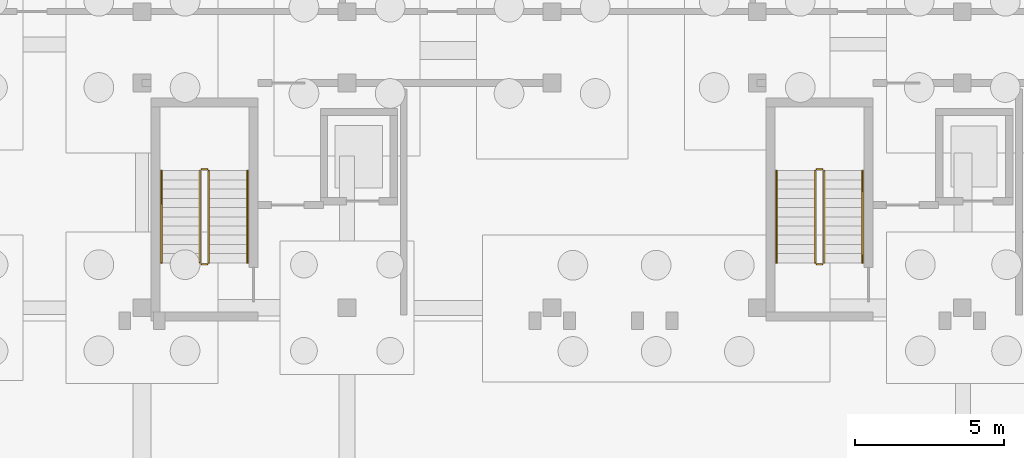
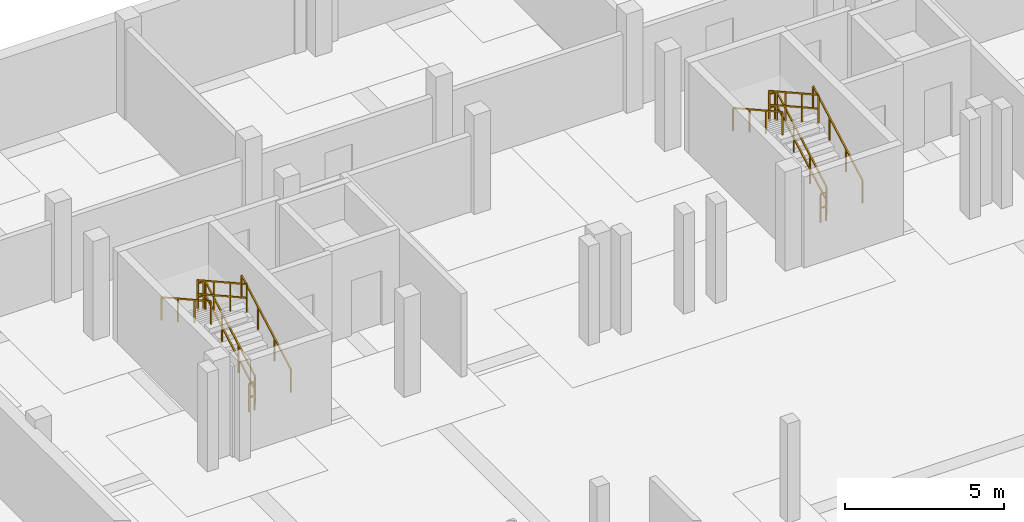
# One storey, part 34 of 38: 12 railings.
"""IFC4 building model written with IfcOpenShell, lengths in metres."""

from ifc_helpers import new_model, si_unit, direction, frame, origin, origin_2d, place, context, subcontext, project, spatial, rectangle, extrude, material, type_object, element, save


model = new_model("IFC4")

# Units and contexts
model_context = context("Model", 3, precision=1e-05, world=origin(), true_north=direction((0.0, 1.0)))
body_context = subcontext(model_context, "Body", "Model", "MODEL_VIEW")
ifc_project = project(units=[si_unit("LENGTHUNIT", "METRE"), si_unit("AREAUNIT", "SQUARE_METRE"), si_unit("VOLUMEUNIT", "CUBIC_METRE"), si_unit("PLANEANGLEUNIT", "RADIAN"), si_unit("MASSUNIT", "GRAM", prefix="KILO")], contexts=[model_context])

# Site, building, storey
site_placement = place(None, origin())
site = spatial("IfcSite", under=ifc_project, at=site_placement, CompositionType="ELEMENT")
building_placement = place(site_placement, origin())
building = spatial("IfcBuilding", under=site, at=building_placement, Name="Zavelmont Quarter", CompositionType="ELEMENT")
storey_placement = place(building_placement, frame((0.0, 0.0, -3.800048828125)))
storey = spatial("IfcBuildingStorey", under=building, at=storey_placement, Name="B01", CompositionType="ELEMENT", Elevation=-3.800048828125)

# Railings
ifc_material_1 = material(Name="Powder-coated steel stair guardrail", Category="steel")
railing_type_1 = type_object("IfcRailingType", Name="RL-GRD1", PredefinedType="GUARDRAIL", material=ifc_material_1)
railing_1_placement = place(storey_placement, frame((9.14990234375, 99.550048828125, 0.1728515625)))
element("IfcRailing", 1, at=railing_1_placement, inside=storey, type_object=railing_type_1, Name="B01 ST03 stair guardrail 1", PredefinedType="GUARDRAIL", context=body_context, shape_type="SweptSolid", body=[
    extrude(rectangle(XDim=0.048095703125, YDim=0.048095703125, at=origin_2d()), frame((0.0, 0.0, 1.076171875), z_axis=(0.0, 0.873539977393, 0.486752409235), x_axis=(-1.0, 0.0, 0.0)), (0.0, 0.0, 1.0), 3.548583984375),
    extrude(rectangle(XDim=0.048095703125, YDim=0.048095703125, at=origin_2d()), frame((0.0, 0.0, 0.550048828125), z_axis=(0.0, 0.873539977393, 0.486752409235), x_axis=(-1.0, 0.0, 0.0)), (0.0, 0.0, 1.0), 3.548583984375),
    extrude(rectangle(XDim=0.0419921875, YDim=0.0419921875, at=origin_2d()), origin(), (0.0, 0.0, 1.0), 1.052001953125),
    extrude(rectangle(XDim=0.0419921875, YDim=0.0419921875, at=origin_2d()), frame((0.0, 1.033203125, 0.57568359375)), (0.0, 0.0, 1.0), 1.052001953125),
    extrude(rectangle(XDim=0.0419921875, YDim=0.0419921875, at=origin_2d()), frame((0.0, 2.066650390625, 1.151611328125)), (0.0, 0.0, 1.0), 1.052001953125),
    extrude(rectangle(XDim=0.0419921875, YDim=0.0419921875, at=origin_2d()), frame((0.0, 3.099853515625, 1.727294921875)), (0.0, 0.0, 1.0), 1.052001953125),
])
railing_2_placement = place(storey_placement, frame((9.10009765625, 102.699951171875, 1.900146484375)))
element("IfcRailing", 2, at=railing_2_placement, inside=storey, type_object=railing_type_1, Name="B01 ST03 stair guardrail 2", PredefinedType="GUARDRAIL", context=body_context, shape_type="SweptSolid", body=[
    extrude(rectangle(XDim=0.048095703125, YDim=0.048095703125, at=origin_2d()), frame((0.0, 0.0, 1.076171875), z_axis=(-1.0, 0.0, 0.0), x_axis=(0.0, -1.0, 0.0)), (0.0, 0.0, 1.0), 0.2001953125),
    extrude(rectangle(XDim=0.048095703125, YDim=0.048095703125, at=origin_2d()), frame((0.0, 0.0, 0.550048828125), z_axis=(-1.0, 0.0, 0.0), x_axis=(0.0, -1.0, 0.0)), (0.0, 0.0, 1.0), 0.2001953125),
    extrude(rectangle(XDim=0.0419921875, YDim=0.0419921875, at=origin_2d()), origin(), (0.0, 0.0, 1.0), 1.052001953125),
    extrude(rectangle(XDim=0.0419921875, YDim=0.0419921875, at=origin_2d()), frame((-0.2001953125, 0.0, 0.0)), (0.0, 0.0, 1.0), 1.052001953125),
])
railing_3_placement = place(storey_placement, frame((8.85009765625, 102.64990234375, 2.07275390625)))
element("IfcRailing", 3, at=railing_3_placement, inside=storey, type_object=railing_type_1, Name="B01 ST03 stair guardrail 3", PredefinedType="GUARDRAIL", context=body_context, shape_type="SweptSolid", body=[
    extrude(rectangle(XDim=0.048095703125, YDim=0.048095703125, at=origin_2d()), frame((0.0, 0.0, 1.076171875), z_axis=(0.0, -0.873539977393, 0.486752409235), x_axis=(1.0, 0.0, 0.0)), (0.0, 0.0, 1.0), 3.548583984375),
    extrude(rectangle(XDim=0.048095703125, YDim=0.048095703125, at=origin_2d()), frame((0.0, 0.0, 0.550048828125), z_axis=(0.0, -0.873539977393, 0.486752409235), x_axis=(1.0, 0.0, 0.0)), (0.0, 0.0, 1.0), 3.548583984375),
    extrude(rectangle(XDim=0.0419921875, YDim=0.0419921875, at=origin_2d()), origin(), (0.0, 0.0, 1.0), 1.052001953125),
    extrude(rectangle(XDim=0.0419921875, YDim=0.0419921875, at=origin_2d()), frame((0.0, -1.033203125, 0.57568359375)), (0.0, 0.0, 1.0), 1.052001953125),
    extrude(rectangle(XDim=0.0419921875, YDim=0.0419921875, at=origin_2d()), frame((0.0, -2.066650390625, 1.151611328125)), (0.0, 0.0, 1.0), 1.052001953125),
    extrude(rectangle(XDim=0.0419921875, YDim=0.0419921875, at=origin_2d()), frame((0.0, -3.099853515625, 1.727294921875)), (0.0, 0.0, 1.0), 1.052001953125),
])
railing_4_placement = place(storey_placement, frame((9.10009765625, 99.5, 0.0)))
element("IfcRailing", 4, at=railing_4_placement, inside=storey, type_object=railing_type_1, Name="B01 ST03 stair guardrail 4", PredefinedType="GUARDRAIL", context=body_context, shape_type="SweptSolid", body=[
    extrude(rectangle(XDim=0.048095703125, YDim=0.048095703125, at=origin_2d()), frame((0.0, 0.0, 1.076171875), z_axis=(-1.0, 0.0, 0.0), x_axis=(0.0, -1.0, 0.0)), (0.0, 0.0, 1.0), 0.2001953125),
    extrude(rectangle(XDim=0.048095703125, YDim=0.048095703125, at=origin_2d()), frame((0.0, 0.0, 0.550048828125), z_axis=(-1.0, 0.0, 0.0), x_axis=(0.0, -1.0, 0.0)), (0.0, 0.0, 1.0), 0.2001953125),
    extrude(rectangle(XDim=0.0419921875, YDim=0.0419921875, at=origin_2d()), origin(), (0.0, 0.0, 1.0), 1.052001953125),
    extrude(rectangle(XDim=0.0419921875, YDim=0.0419921875, at=origin_2d()), frame((-0.2001953125, 0.0, 0.0)), (0.0, 0.0, 1.0), 1.052001953125),
])
railing_5_placement = place(storey_placement, frame((29.85009765625, 99.550048828125, 0.1728515625)))
element("IfcRailing", 5, at=railing_5_placement, inside=storey, type_object=railing_type_1, Name="B01 ST04 stair guardrail 1", PredefinedType="GUARDRAIL", context=body_context, shape_type="SweptSolid", body=[
    extrude(rectangle(XDim=0.048095703125, YDim=0.048095703125, at=origin_2d()), frame((0.0, 0.0, 1.076171875), z_axis=(0.0, 0.873539977393, 0.486752409235), x_axis=(-1.0, 0.0, 0.0)), (0.0, 0.0, 1.0), 3.548583984375),
    extrude(rectangle(XDim=0.048095703125, YDim=0.048095703125, at=origin_2d()), frame((0.0, 0.0, 0.550048828125), z_axis=(0.0, 0.873539977393, 0.486752409235), x_axis=(-1.0, 0.0, 0.0)), (0.0, 0.0, 1.0), 3.548583984375),
    extrude(rectangle(XDim=0.0419921875, YDim=0.0419921875, at=origin_2d()), origin(), (0.0, 0.0, 1.0), 1.052001953125),
    extrude(rectangle(XDim=0.0419921875, YDim=0.0419921875, at=origin_2d()), frame((0.0, 1.033203125, 0.57568359375)), (0.0, 0.0, 1.0), 1.052001953125),
    extrude(rectangle(XDim=0.0419921875, YDim=0.0419921875, at=origin_2d()), frame((0.0, 2.066650390625, 1.151611328125)), (0.0, 0.0, 1.0), 1.052001953125),
    extrude(rectangle(XDim=0.0419921875, YDim=0.0419921875, at=origin_2d()), frame((0.0, 3.099853515625, 1.727294921875)), (0.0, 0.0, 1.0), 1.052001953125),
])
railing_6_placement = place(storey_placement, frame((29.800048828125, 102.699951171875, 1.900146484375)))
element("IfcRailing", 6, at=railing_6_placement, inside=storey, type_object=railing_type_1, Name="B01 ST04 stair guardrail 2", PredefinedType="GUARDRAIL", context=body_context, shape_type="SweptSolid", body=[
    extrude(rectangle(XDim=0.048095703125, YDim=0.048095703125, at=origin_2d()), frame((0.0, 0.0, 1.076171875), z_axis=(-1.0, 0.0, 0.0), x_axis=(0.0, -1.0, 0.0)), (0.0, 0.0, 1.0), 0.199951171875),
    extrude(rectangle(XDim=0.048095703125, YDim=0.048095703125, at=origin_2d()), frame((0.0, 0.0, 0.550048828125), z_axis=(-1.0, 0.0, 0.0), x_axis=(0.0, -1.0, 0.0)), (0.0, 0.0, 1.0), 0.199951171875),
    extrude(rectangle(XDim=0.0419921875, YDim=0.0419921875, at=origin_2d()), origin(), (0.0, 0.0, 1.0), 1.052001953125),
    extrude(rectangle(XDim=0.0419921875, YDim=0.0419921875, at=origin_2d()), frame((-0.199951171875, 0.0, 0.0)), (0.0, 0.0, 1.0), 1.052001953125),
])
railing_7_placement = place(storey_placement, frame((29.550048828125, 102.64990234375, 2.07275390625)))
element("IfcRailing", 7, at=railing_7_placement, inside=storey, type_object=railing_type_1, Name="B01 ST04 stair guardrail 3", PredefinedType="GUARDRAIL", context=body_context, shape_type="SweptSolid", body=[
    extrude(rectangle(XDim=0.048095703125, YDim=0.048095703125, at=origin_2d()), frame((0.0, 0.0, 1.076171875), z_axis=(0.0, -0.873539977393, 0.486752409235), x_axis=(1.0, 0.0, 0.0)), (0.0, 0.0, 1.0), 3.548583984375),
    extrude(rectangle(XDim=0.048095703125, YDim=0.048095703125, at=origin_2d()), frame((0.0, 0.0, 0.550048828125), z_axis=(0.0, -0.873539977393, 0.486752409235), x_axis=(1.0, 0.0, 0.0)), (0.0, 0.0, 1.0), 3.548583984375),
    extrude(rectangle(XDim=0.0419921875, YDim=0.0419921875, at=origin_2d()), origin(), (0.0, 0.0, 1.0), 1.052001953125),
    extrude(rectangle(XDim=0.0419921875, YDim=0.0419921875, at=origin_2d()), frame((0.0, -1.033203125, 0.57568359375)), (0.0, 0.0, 1.0), 1.052001953125),
    extrude(rectangle(XDim=0.0419921875, YDim=0.0419921875, at=origin_2d()), frame((0.0, -2.066650390625, 1.151611328125)), (0.0, 0.0, 1.0), 1.052001953125),
    extrude(rectangle(XDim=0.0419921875, YDim=0.0419921875, at=origin_2d()), frame((0.0, -3.099853515625, 1.727294921875)), (0.0, 0.0, 1.0), 1.052001953125),
])
railing_8_placement = place(storey_placement, frame((29.800048828125, 99.5, 0.0)))
element("IfcRailing", 8, at=railing_8_placement, inside=storey, type_object=railing_type_1, Name="B01 ST04 stair guardrail 4", PredefinedType="GUARDRAIL", context=body_context, shape_type="SweptSolid", body=[
    extrude(rectangle(XDim=0.048095703125, YDim=0.048095703125, at=origin_2d()), frame((0.0, 0.0, 1.076171875), z_axis=(-1.0, 0.0, 0.0), x_axis=(0.0, -1.0, 0.0)), (0.0, 0.0, 1.0), 0.199951171875),
    extrude(rectangle(XDim=0.048095703125, YDim=0.048095703125, at=origin_2d()), frame((0.0, 0.0, 0.550048828125), z_axis=(-1.0, 0.0, 0.0), x_axis=(0.0, -1.0, 0.0)), (0.0, 0.0, 1.0), 0.199951171875),
    extrude(rectangle(XDim=0.0419921875, YDim=0.0419921875, at=origin_2d()), origin(), (0.0, 0.0, 1.0), 1.052001953125),
    extrude(rectangle(XDim=0.0419921875, YDim=0.0419921875, at=origin_2d()), frame((-0.199951171875, 0.0, 0.0)), (0.0, 0.0, 1.0), 1.052001953125),
])
ifc_material_2 = material(Name="Brushed stainless-steel wall handrail", Category="steel")
railing_type_2 = type_object("IfcRailingType", Name="RL-HND1", PredefinedType="HANDRAIL", material=ifc_material_2)
railing_9_placement = place(storey_placement, frame((10.449951171875, 99.550048828125, 0.1728515625)))
element("IfcRailing", 9, at=railing_9_placement, inside=storey, type_object=railing_type_2, Name="B01 ST03 stair handrail 1", PredefinedType="HANDRAIL", context=body_context, shape_type="SweptSolid", body=[
    extrude(rectangle(XDim=0.048095703125, YDim=0.048095703125, at=origin_2d()), frame((0.0, 0.0, 0.8759765625), z_axis=(0.0, 0.873539977393, 0.486752409235), x_axis=(-1.0, 0.0, 0.0)), (0.0, 0.0, 1.0), 3.548583984375),
    extrude(rectangle(XDim=0.0419921875, YDim=0.0419921875, at=origin_2d()), origin(), (0.0, 0.0, 1.0), 0.851806640625),
    extrude(rectangle(XDim=0.0419921875, YDim=0.0419921875, at=origin_2d()), frame((0.0, 1.033203125, 0.57568359375)), (0.0, 0.0, 1.0), 0.851806640625),
    extrude(rectangle(XDim=0.0419921875, YDim=0.0419921875, at=origin_2d()), frame((0.0, 2.066650390625, 1.151611328125)), (0.0, 0.0, 1.0), 0.851806640625),
    extrude(rectangle(XDim=0.0419921875, YDim=0.0419921875, at=origin_2d()), frame((0.0, 3.099853515625, 1.727294921875)), (0.0, 0.0, 1.0), 0.851806640625),
])
railing_10_placement = place(storey_placement, frame((7.550048828125, 102.64990234375, 2.07275390625)))
element("IfcRailing", 10, at=railing_10_placement, inside=storey, type_object=railing_type_2, Name="B01 ST03 stair handrail 2", PredefinedType="HANDRAIL", context=body_context, shape_type="SweptSolid", body=[
    extrude(rectangle(XDim=0.048095703125, YDim=0.048095703125, at=origin_2d()), frame((0.0, 0.0, 0.8759765625), z_axis=(0.0, -0.873539977393, 0.486752409235), x_axis=(1.0, 0.0, 0.0)), (0.0, 0.0, 1.0), 3.548583984375),
    extrude(rectangle(XDim=0.0419921875, YDim=0.0419921875, at=origin_2d()), origin(), (0.0, 0.0, 1.0), 0.851806640625),
    extrude(rectangle(XDim=0.0419921875, YDim=0.0419921875, at=origin_2d()), frame((0.0, -1.033203125, 0.57568359375)), (0.0, 0.0, 1.0), 0.851806640625),
    extrude(rectangle(XDim=0.0419921875, YDim=0.0419921875, at=origin_2d()), frame((0.0, -2.066650390625, 1.151611328125)), (0.0, 0.0, 1.0), 0.851806640625),
    extrude(rectangle(XDim=0.0419921875, YDim=0.0419921875, at=origin_2d()), frame((0.0, -3.099853515625, 1.727294921875)), (0.0, 0.0, 1.0), 0.851806640625),
])
railing_11_placement = place(storey_placement, frame((31.14990234375, 99.550048828125, 0.1728515625)))
element("IfcRailing", 11, at=railing_11_placement, inside=storey, type_object=railing_type_2, Name="B01 ST04 stair handrail 1", PredefinedType="HANDRAIL", context=body_context, shape_type="SweptSolid", body=[
    extrude(rectangle(XDim=0.048095703125, YDim=0.048095703125, at=origin_2d()), frame((0.0, 0.0, 0.8759765625), z_axis=(0.0, 0.873539977393, 0.486752409235), x_axis=(-1.0, 0.0, 0.0)), (0.0, 0.0, 1.0), 3.548583984375),
    extrude(rectangle(XDim=0.0419921875, YDim=0.0419921875, at=origin_2d()), origin(), (0.0, 0.0, 1.0), 0.851806640625),
    extrude(rectangle(XDim=0.0419921875, YDim=0.0419921875, at=origin_2d()), frame((0.0, 1.033203125, 0.57568359375)), (0.0, 0.0, 1.0), 0.851806640625),
    extrude(rectangle(XDim=0.0419921875, YDim=0.0419921875, at=origin_2d()), frame((0.0, 2.066650390625, 1.151611328125)), (0.0, 0.0, 1.0), 0.851806640625),
    extrude(rectangle(XDim=0.0419921875, YDim=0.0419921875, at=origin_2d()), frame((0.0, 3.099853515625, 1.727294921875)), (0.0, 0.0, 1.0), 0.851806640625),
])
railing_12_placement = place(storey_placement, frame((28.25, 102.64990234375, 2.07275390625)))
element("IfcRailing", 12, at=railing_12_placement, inside=storey, type_object=railing_type_2, Name="B01 ST04 stair handrail 2", PredefinedType="HANDRAIL", context=body_context, shape_type="SweptSolid", body=[
    extrude(rectangle(XDim=0.048095703125, YDim=0.048095703125, at=origin_2d()), frame((0.0, 0.0, 0.8759765625), z_axis=(0.0, -0.873539977393, 0.486752409235), x_axis=(1.0, 0.0, 0.0)), (0.0, 0.0, 1.0), 3.548583984375),
    extrude(rectangle(XDim=0.0419921875, YDim=0.0419921875, at=origin_2d()), origin(), (0.0, 0.0, 1.0), 0.851806640625),
    extrude(rectangle(XDim=0.0419921875, YDim=0.0419921875, at=origin_2d()), frame((0.0, -1.033203125, 0.57568359375)), (0.0, 0.0, 1.0), 0.851806640625),
    extrude(rectangle(XDim=0.0419921875, YDim=0.0419921875, at=origin_2d()), frame((0.0, -2.066650390625, 1.151611328125)), (0.0, 0.0, 1.0), 0.851806640625),
    extrude(rectangle(XDim=0.0419921875, YDim=0.0419921875, at=origin_2d()), frame((0.0, -3.099853515625, 1.727294921875)), (0.0, 0.0, 1.0), 0.851806640625),
])

save(model, "model.ifc")
